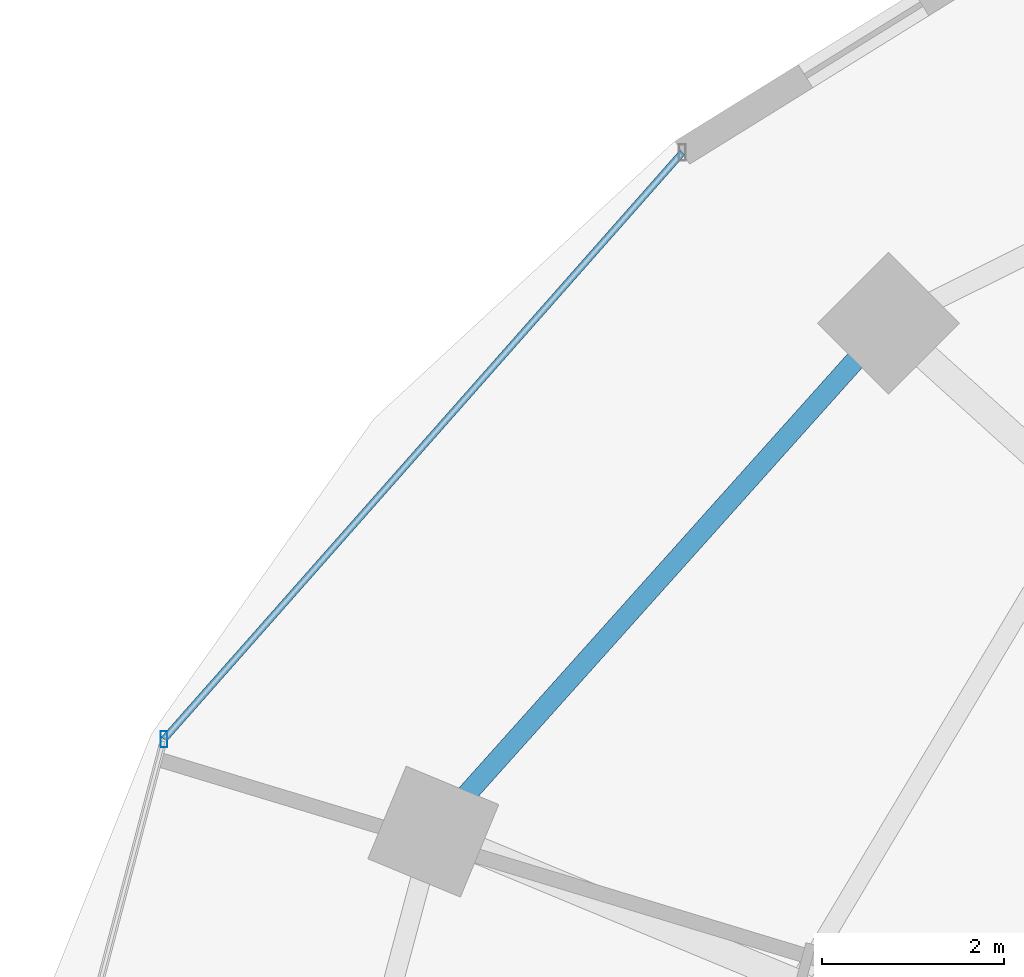
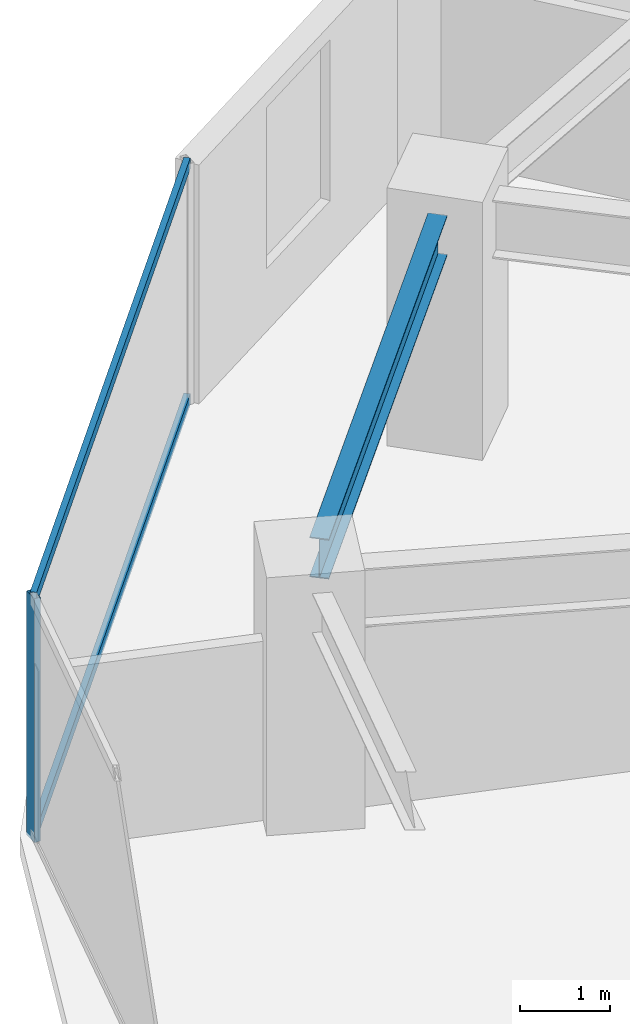
# One storey, part 9 of 29: 3 members, 1 beam, 1 element without a shape of its own.
"""IFC4 building model written with IfcOpenShell, lengths in metres."""

from ifc_helpers import new_model, si_unit, direction, frame, origin, origin_2d, place, context, subcontext, project, spatial, hollow_rectangle, i_section, extrude, material, material_profile, profile_set, type_object, element, aggregate, save


model = new_model("IFC4")

# Units and contexts
model_context = context("Model", 3, precision=1e-05, world=origin(), true_north=direction((0.0, 1.0)))
body_context = subcontext(model_context, "Body", "Model", "MODEL_VIEW")
ifc_project = project(units=[si_unit("LENGTHUNIT", "METRE"), si_unit("AREAUNIT", "SQUARE_METRE"), si_unit("VOLUMEUNIT", "CUBIC_METRE"), si_unit("PLANEANGLEUNIT", "RADIAN"), si_unit("MASSUNIT", "GRAM", prefix="KILO")], contexts=[model_context])

# Site, building, storey
site_placement = place(None, origin())
site = spatial("IfcSite", under=ifc_project, at=site_placement, CompositionType="ELEMENT")
building_placement = place(site_placement, origin())
building = spatial("IfcBuilding", under=site, at=building_placement, Name="Vorneva Point Tower", CompositionType="ELEMENT")
storey_placement = place(building_placement, frame((0.0, 0.0, 117.300048828125)))
storey = spatial("IfcBuildingStorey", under=building, at=storey_placement, Name="L31", CompositionType="ELEMENT", Elevation=117.300048828125)

# Beam
ifc_material_1 = material(Name="Steel S355", Category="steel")
ifc_material_profile_1 = material_profile(ifc_material_1, i_section(OverallWidth=0.219970703125, OverallDepth=0.54296875, WebThickness=0.009521484375, FlangeThickness=0.013427734375, at=origin_2d()), Name="55B1")
ifc_profile_set_1 = profile_set([ifc_material_profile_1], Name="Steel S355")
beam_type = type_object("IfcBeamType", Name="BM-SPN-55B1", PredefinedType="SPANDREL", material=ifc_profile_set_1)
beam_placement = place(storey_placement, frame((21.34423828125, 37.763671875, 2.968505859375), z_axis=(-0.667073815664, -0.744991627105, 0.0), x_axis=(0.744991627105, -0.667073815664, 0.0)))
element("IfcBeam", 1, at=beam_placement, inside=storey, type_object=beam_type, Name="L31 Perimeter Spandrel Ring Beam 07", PredefinedType="SPANDREL", context=body_context, shape_type="SweptSolid", body=[
    extrude(i_section(OverallWidth=0.219970703125, OverallDepth=0.54296875, WebThickness=0.009521484375, FlangeThickness=0.013427734375, at=origin_2d()), origin(), (0.0, 0.0, 1.0), 6.420166015625),
])

# Curtain wall, members
ifc_material_2 = material(Name="Pale anodised aluminium", Category="aluminium")
curtain_wall_type = type_object("IfcCurtainWallType", Name="CW-HTL-SYS", PredefinedType="NOTDEFINED", material=ifc_material_2)
curtain_wall_placement = place(storey_placement, origin())
curtain_wall = element("IfcCurtainWall", 2, at=curtain_wall_placement, inside=storey, type_object=curtain_wall_type, Name="L31 Unitised Curtain Wall CW-L31-R02", PredefinedType="NOTDEFINED")
ifc_material_profile_2 = material_profile(ifc_material_2, hollow_rectangle(XDim=0.074951171875, YDim=0.179931640625, WallThickness=0.00390625, at=origin_2d()), Name="AL-MUL 180x75x4")
ifc_profile_set_2 = profile_set([ifc_material_profile_2], Name="Pale anodised aluminium")
member_type_1 = type_object("IfcMemberType", Name="CW-MUL-180", PredefinedType="MULLION", material=ifc_profile_set_2)
member_1_placement = place(storey_placement, frame((13.748291015625, 33.59619140625, -0.0400390625), z_axis=(0.0, 0.0, 1.0), x_axis=(1.0, 0.0, 0.0)))
member_1 = element("IfcMember", 3, at=member_1_placement, type_object=member_type_1, Name="CW-L31-R02 Mullion 02", PredefinedType="MULLION", context=body_context, shape_type="SweptSolid", body=[
    extrude(hollow_rectangle(XDim=0.074951171875, YDim=0.179931640625, WallThickness=0.00390625, at=origin_2d()), origin(), (0.0, 0.0, 1.0), 3.31005859375),
])
ifc_material_profile_3 = material_profile(ifc_material_2, hollow_rectangle(XDim=0.074951171875, YDim=0.14990234375, WallThickness=0.00390625, at=origin_2d()), Name="AL-TRN 150x75x4")
ifc_profile_set_3 = profile_set([ifc_material_profile_3], Name="Pale anodised aluminium")
member_type_2 = type_object("IfcMemberType", Name="CW-TRN-150", PredefinedType="USERDEFINED", material=ifc_profile_set_3)
member_2_placement = place(storey_placement, frame((19.4384765625, 40.0361328125, 0.02001953125), z_axis=(-0.662137326257, -0.74938251993, 0.0), x_axis=(0.74938251993, -0.662137326257, 0.0)))
member_2 = element("IfcMember", 4, at=member_2_placement, type_object=member_type_2, Name="CW-L31-R02 Transom 01.1", ObjectType="TRANSOM", PredefinedType="USERDEFINED", context=body_context, shape_type="SweptSolid", body=[
    extrude(hollow_rectangle(XDim=0.074951171875, YDim=0.14990234375, WallThickness=0.00390625, at=origin_2d()), origin(), (0.0, 0.0, 1.0), 8.59375),
])
member_3_placement = place(storey_placement, frame((19.4384765625, 40.0361328125, 3.219970703125), z_axis=(-0.662137326257, -0.74938251993, 0.0), x_axis=(0.74938251993, -0.662137326257, 0.0)))
member_3 = element("IfcMember", 5, at=member_3_placement, type_object=member_type_2, Name="CW-L31-R02 Transom 01.2", ObjectType="TRANSOM", PredefinedType="USERDEFINED", context=body_context, shape_type="SweptSolid", body=[
    extrude(hollow_rectangle(XDim=0.074951171875, YDim=0.14990234375, WallThickness=0.00390625, at=origin_2d()), origin(), (0.0, 0.0, 1.0), 8.59375),
])
aggregate(curtain_wall, [member_1, member_2, member_3])

save(model, "model.ifc")
